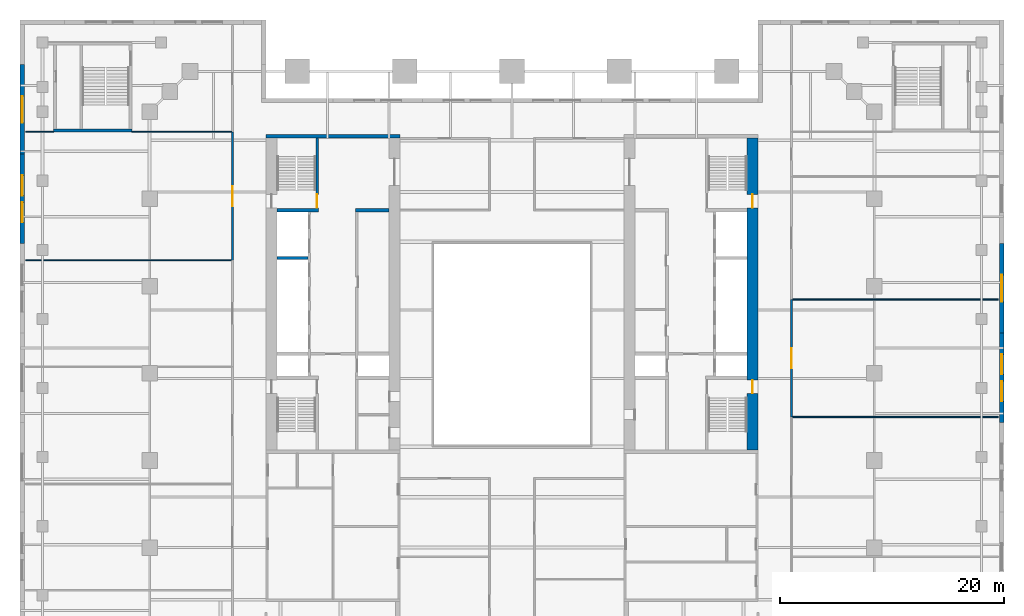
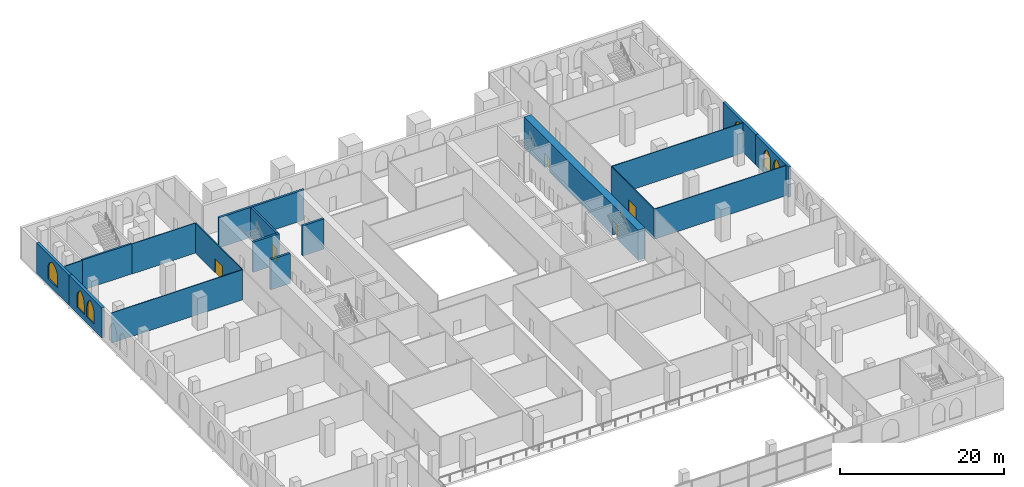
# One storey, part 14 of 19: 18 walls, 6 windows, 5 doors, 11 openings.
"""IFC4 building model written with IfcOpenShell, lengths in metres."""

from ifc_helpers import new_model, si_unit, direction, frame, frame_2d, origin, place, context, subcontext, project, spatial, polyline, rectangle, outline, extrude, material, layer, layer_set, type_object, element, fill, save


model = new_model("IFC4")

# Units and contexts
model_context = context("Model", 3, precision=1e-05, world=origin(), true_north=direction((0.0, 1.0)))
body_context = subcontext(model_context, "Body", "Model", "MODEL_VIEW")
ifc_project = project(units=[si_unit("LENGTHUNIT", "METRE"), si_unit("AREAUNIT", "SQUARE_METRE"), si_unit("VOLUMEUNIT", "CUBIC_METRE"), si_unit("PLANEANGLEUNIT", "RADIAN"), si_unit("MASSUNIT", "GRAM", prefix="KILO")], contexts=[model_context])

# Site, building, storey
site_placement = place(None, origin())
site = spatial("IfcSite", under=ifc_project, at=site_placement, CompositionType="ELEMENT")
building_placement = place(site_placement, origin())
building = spatial("IfcBuilding", under=site, at=building_placement, Name="Ogive Exchange Tower", CompositionType="ELEMENT")
storey_placement = place(building_placement, frame((0.0, 0.0, 24.0)))
storey = spatial("IfcBuildingStorey", under=building, at=storey_placement, Name="L04", CompositionType="ELEMENT", Elevation=24.0)

# Wall
ifc_material_1 = material(Name="Gypsum board partition")
ifc_layer_1 = layer(ifc_material_1, 0.300048828125)
ifc_layer_set_1 = layer_set([ifc_layer_1], Name="Core room partition 300 gypsum")
wall_type_1 = type_object("IfcWallType", Name="Core room partition 300 gypsum", PredefinedType="PARTITIONING", material=ifc_layer_set_1)
wall_1_placement = place(storey_placement, frame((-14.0, 19.0, 0.0), z_axis=(0.0, 0.0, 1.0), x_axis=(1.0, 0.0, 0.0)))
element("IfcWall", 1, at=wall_1_placement, inside=storey, type_object=wall_type_1, Name="W row B room end wall 7", PredefinedType="PARTITIONING", context=body_context, shape_type="SweptSolid", body=[
    extrude(rectangle(XDim=3.0, YDim=0.300048828125, at=frame_2d((1.5, 0.0))), origin(), (0.0, 0.0, 1.0), 4.5),
])

# Wall, opening, door
ifc_material_2 = material(Name="Fire partition EI 60 150")
ifc_layer_2 = layer(ifc_material_2, 0.14990234375)
ifc_layer_set_2 = layer_set([ifc_layer_2], Name="Fire partition EI 60 150")
wall_type_2 = type_object("IfcWallType", Name="Fire partition EI 60 150", PredefinedType="PARTITIONING", material=ifc_layer_set_2)
wall_2_placement = place(storey_placement, frame((-25.0, 14.5, 0.0), z_axis=(0.0, 0.0, 1.0), x_axis=(0.0, 1.0, 0.0)))
wall_2 = element("IfcWall", 2, at=wall_2_placement, inside=storey, type_object=wall_type_2, Name="L04-PWL-048", PredefinedType="PARTITIONING", context=body_context, shape_type="SweptSolid", body=[
    extrude(rectangle(XDim=11.5, YDim=0.14990234375, at=frame_2d((5.75, 0.0))), origin(), (0.0, 0.0, 1.0), 4.5),
])
opening_1_placement = place(wall_2_placement, frame((4.85009765625, 0.0, 0.0)))
opening_1 = element("IfcOpeningElement", 3, at=opening_1_placement, cuts=wall_2, Name="Opening L04-I07", PredefinedType="OPENING", context=body_context, shape_type="SweptSolid", body=[
    extrude(rectangle(XDim=1.800048828125, YDim=2.10009765625, at=frame_2d((0.89990234375, 1.050048828125))), frame((0.0, 0.0849609375, 0.0), z_axis=(0.0, -1.0, 0.0), x_axis=(1.0, 0.0, 0.0)), (0.0, 0.0, 1.0), 0.169921875),
])
ifc_material_3 = material(Name="Fire door FD 30S 1800 x 2100")
door_type_1 = type_object("IfcDoorType", Name="Fire door FD 30S 1800 x 2100", OperationType="DOUBLE_DOOR_SINGLE_SWING", PredefinedType="DOOR", material=ifc_material_3)
door_1_placement = place(opening_1_placement, origin())
door_1 = element("IfcDoor", 4, at=door_1_placement, inside=storey, type_object=door_type_1, Name="L04-IDR-007", ObjectType="DT4", OperationType="SINGLE_SWING_RIGHT", OverallHeight=2.10009765625, OverallWidth=1.800048828125, PredefinedType="DOOR", context=body_context, shape_type="SweptSolid", body=[
    extrude(rectangle(XDim=1.800048828125, YDim=2.10009765625, at=frame_2d((0.89990234375, 1.050048828125))), frame((0.0, 0.02490234375, 0.0), z_axis=(0.0, -1.0, 0.0), x_axis=(1.0, 0.0, 0.0)), (0.0, 0.0, 1.0), 0.050048828125),
])
fill(opening_1, door_1)

wall_3_placement = place(storey_placement, frame((25.0, 0.5, 0.0), z_axis=(0.0, 0.0, 1.0), x_axis=(0.0, 1.0, 0.0)))
wall_3 = element("IfcWall", 5, at=wall_3_placement, inside=storey, type_object=wall_type_2, Name="L04-PWL-062", PredefinedType="PARTITIONING", context=body_context, shape_type="SweptSolid", body=[
    extrude(rectangle(XDim=10.5, YDim=0.14990234375, at=frame_2d((5.25, 0.0))), origin(), (0.0, 0.0, 1.0), 4.5),
])
opening_2_placement = place(wall_3_placement, frame((4.35009765625, 0.0, 0.0)))
opening_2 = element("IfcOpeningElement", 6, at=opening_2_placement, cuts=wall_3, Name="Opening L04-I11", PredefinedType="OPENING", context=body_context, shape_type="SweptSolid", body=[
    extrude(rectangle(XDim=1.800048828125, YDim=2.10009765625, at=frame_2d((0.89990234375, 1.050048828125))), frame((0.0, 0.0849609375, 0.0), z_axis=(0.0, -1.0, 0.0), x_axis=(1.0, 0.0, 0.0)), (0.0, 0.0, 1.0), 0.169921875),
])
door_2_placement = place(opening_2_placement, frame((1.800048828125, 0.0, 0.0), z_axis=(0.0, 0.0, 1.0), x_axis=(-1.0, 0.0, 0.0)))
door_2 = element("IfcDoor", 7, at=door_2_placement, inside=storey, type_object=door_type_1, Name="L04-IDR-011", ObjectType="DT4", OperationType="SINGLE_SWING_LEFT", OverallHeight=2.10009765625, OverallWidth=1.800048828125, PredefinedType="DOOR", context=body_context, shape_type="SweptSolid", body=[
    extrude(rectangle(XDim=1.800048828125, YDim=2.10009765625, at=frame_2d((0.89990234375, 1.050048828125))), frame((0.0, 0.02490234375, 0.0), z_axis=(0.0, -1.0, 0.0), x_axis=(1.0, 0.0, 0.0)), (0.0, 0.0, 1.0), 0.050048828125),
])
fill(opening_2, door_2)

# Wall, openings, windows
ifc_material_4 = material(Name="Precast concrete C40/50", Category="concrete")
ifc_layer_3 = layer(ifc_material_4, 0.39990234375)
ifc_layer_set_3 = layer_set([ifc_layer_3], Name="Limestone-faced wall 400")
wall_type_3 = type_object("IfcWallType", Name="Limestone-faced wall 400", PredefinedType="STANDARD", material=ifc_layer_set_3)
wall_4_placement = place(storey_placement, frame((43.800048828125, 0.0, 0.0), z_axis=(0.0, 0.0, 1.0), x_axis=(0.0, 1.0, 0.0)))
wall_4 = element("IfcWall", 8, at=wall_4_placement, inside=storey, type_object=wall_type_3, Name="Podium wall E8", PredefinedType="STANDARD", context=body_context, shape_type="SweptSolid", body=[
    extrude(rectangle(XDim=8.0, YDim=0.39990234375, at=frame_2d((4.0, 0.0))), origin(), (0.0, 0.0, 1.0), 4.5),
])
opening_3_placement = place(wall_4_placement, frame((1.89990234375, 0.0, 0.89990234375)))
opening_3 = element("IfcOpeningElement", 9, at=opening_3_placement, cuts=wall_4, Name="Opening WQ300", PredefinedType="OPENING", context=body_context, shape_type="SweptSolid", body=[
    extrude(outline(polyline([(0.0, 0.0), (1.800048828125, 0.0), (1.800048828125, 1.5), (1.78466796875, 1.72900390625), (1.73828125, 1.953857421875), (1.662353515625, 2.17041015625), (1.557861328125, 2.374755859375), (1.4267578125, 2.56298828125), (1.271484375, 2.73193359375), (1.0947265625, 2.878662109375), (0.89990234375, 3.0), (0.705322265625, 2.878662109375), (0.528564453125, 2.73193359375), (0.373291015625, 2.56298828125), (0.2421875, 2.374755859375), (0.1376953125, 2.17041015625), (0.061767578125, 1.953857421875), (0.015380859375, 1.72900390625), (0.0, 1.5), (0.0, 0.0)])), frame((0.0, 0.2099609375, 0.0), z_axis=(0.0, -1.0, 0.0), x_axis=(1.0, 0.0, 0.0)), (0.0, 0.0, 1.0), 0.419921875),
])
opening_4_placement = place(wall_4_placement, frame((4.300048828125, 0.0, 0.89990234375)))
opening_4 = element("IfcOpeningElement", 10, at=opening_4_placement, cuts=wall_4, Name="Opening WQ300", PredefinedType="OPENING", context=body_context, shape_type="SweptSolid", body=[
    extrude(outline(polyline([(0.0, 0.0), (1.800048828125, 0.0), (1.800048828125, 1.5), (1.78466796875, 1.72900390625), (1.73828125, 1.953857421875), (1.662353515625, 2.17041015625), (1.557861328125, 2.374755859375), (1.4267578125, 2.56298828125), (1.271484375, 2.73193359375), (1.0947265625, 2.878662109375), (0.89990234375, 3.0), (0.705322265625, 2.878662109375), (0.528564453125, 2.73193359375), (0.373291015625, 2.56298828125), (0.2421875, 2.374755859375), (0.1376953125, 2.17041015625), (0.061767578125, 1.953857421875), (0.015380859375, 1.72900390625), (0.0, 1.5), (0.0, 0.0)])), frame((0.0, 0.2099609375, 0.0), z_axis=(0.0, -1.0, 0.0), x_axis=(1.0, 0.0, 0.0)), (0.0, 0.0, 1.0), 0.419921875),
])
ifc_material_5 = material(Name="Clear glass in bronze frame", Category="glass")
window_type_1 = type_object("IfcWindowType", Name="Podium paired lancet 1800 x 3000", PartitioningType="DOUBLE_PANEL_VERTICAL", PredefinedType="WINDOW", material=ifc_material_5)
window_1_placement = place(opening_3_placement, origin())
window_1 = element("IfcWindow", 11, at=window_1_placement, inside=storey, type_object=window_type_1, Name="Podium paired lancet E8.1", OverallHeight=3.0, OverallWidth=1.800048828125, PartitioningType="DOUBLE_PANEL_VERTICAL", PredefinedType="WINDOW", context=body_context, shape_type="SweptSolid", body=[
    extrude(outline(polyline([(0.0, 0.0), (1.800048828125, 0.0), (1.800048828125, 1.5), (1.78466796875, 1.72900390625), (1.73828125, 1.953857421875), (1.662353515625, 2.17041015625), (1.557861328125, 2.374755859375), (1.4267578125, 2.56298828125), (1.271484375, 2.73193359375), (1.0947265625, 2.878662109375), (0.89990234375, 3.0), (0.705322265625, 2.878662109375), (0.528564453125, 2.73193359375), (0.373291015625, 2.56298828125), (0.2421875, 2.374755859375), (0.1376953125, 2.17041015625), (0.061767578125, 1.953857421875), (0.015380859375, 1.72900390625), (0.0, 1.5), (0.0, 0.0)])), frame((0.0, 0.030029296875, 0.0), z_axis=(0.0, -1.0, 0.0), x_axis=(1.0, 0.0, 0.0)), (0.0, 0.0, 1.0), 0.06005859375),
])
fill(opening_3, window_1)
window_2_placement = place(opening_4_placement, origin())
window_2 = element("IfcWindow", 12, at=window_2_placement, inside=storey, type_object=window_type_1, Name="Podium paired lancet E8.2", OverallHeight=3.0, OverallWidth=1.800048828125, PartitioningType="DOUBLE_PANEL_VERTICAL", PredefinedType="WINDOW", context=body_context, shape_type="SweptSolid", body=[
    extrude(outline(polyline([(0.0, 0.0), (1.800048828125, 0.0), (1.800048828125, 1.5), (1.78466796875, 1.72900390625), (1.73828125, 1.953857421875), (1.662353515625, 2.17041015625), (1.557861328125, 2.374755859375), (1.4267578125, 2.56298828125), (1.271484375, 2.73193359375), (1.0947265625, 2.878662109375), (0.89990234375, 3.0), (0.705322265625, 2.878662109375), (0.528564453125, 2.73193359375), (0.373291015625, 2.56298828125), (0.2421875, 2.374755859375), (0.1376953125, 2.17041015625), (0.061767578125, 1.953857421875), (0.015380859375, 1.72900390625), (0.0, 1.5), (0.0, 0.0)])), frame((0.0, 0.030029296875, 0.0), z_axis=(0.0, -1.0, 0.0), x_axis=(1.0, 0.0, 0.0)), (0.0, 0.0, 1.0), 0.06005859375),
])
fill(opening_4, window_2)

# Wall, opening, window
wall_5_placement = place(storey_placement, frame((43.800048828125, 8.0, 0.0), z_axis=(0.0, 0.0, 1.0), x_axis=(0.0, 1.0, 0.0)))
wall_5 = element("IfcWall", 13, at=wall_5_placement, inside=storey, type_object=wall_type_3, Name="Podium wall E9", PredefinedType="STANDARD", context=body_context, shape_type="SweptSolid", body=[
    extrude(rectangle(XDim=8.0, YDim=0.39990234375, at=frame_2d((4.0, 0.0))), origin(), (0.0, 0.0, 1.0), 4.5),
])
opening_5_placement = place(wall_5_placement, frame((2.800048828125, 0.0, 0.89990234375)))
opening_5 = element("IfcOpeningElement", 14, at=opening_5_placement, cuts=wall_5, Name="Opening WP300", PredefinedType="OPENING", context=body_context, shape_type="SweptSolid", body=[
    extrude(outline(polyline([(0.0, 0.0), (2.39990234375, 0.0), (2.39990234375, 1.5), (2.378173828125, 1.758056640625), (2.313232421875, 2.009033203125), (2.207275390625, 2.245361328125), (2.06298828125, 2.46044921875), (1.884765625, 2.6484375), (1.677490234375, 2.8037109375), (1.447021484375, 2.922119140625), (1.199951171875, 3.0), (0.952880859375, 2.922119140625), (0.722412109375, 2.8037109375), (0.51513671875, 2.6484375), (0.3369140625, 2.46044921875), (0.192626953125, 2.245361328125), (0.086669921875, 2.009033203125), (0.021728515625, 1.758056640625), (0.0, 1.5), (0.0, 0.0)])), frame((0.0, 0.2099609375, 0.0), z_axis=(0.0, -1.0, 0.0), x_axis=(1.0, 0.0, 0.0)), (0.0, 0.0, 1.0), 0.419921875),
])
window_type_2 = type_object("IfcWindowType", Name="Podium lancet window 2400 x 3000", PartitioningType="DOUBLE_PANEL_VERTICAL", PredefinedType="WINDOW", material=ifc_material_5)
window_3_placement = place(opening_5_placement, origin())
window_3 = element("IfcWindow", 15, at=window_3_placement, inside=storey, type_object=window_type_2, Name="Podium window E9", OverallHeight=3.0, OverallWidth=2.39990234375, PartitioningType="DOUBLE_PANEL_VERTICAL", PredefinedType="WINDOW", context=body_context, shape_type="SweptSolid", body=[
    extrude(outline(polyline([(0.0, 0.0), (2.39990234375, 0.0), (2.39990234375, 1.5), (2.378173828125, 1.758056640625), (2.313232421875, 2.009033203125), (2.207275390625, 2.245361328125), (2.06298828125, 2.46044921875), (1.884765625, 2.6484375), (1.677490234375, 2.8037109375), (1.447021484375, 2.922119140625), (1.199951171875, 3.0), (0.952880859375, 2.922119140625), (0.722412109375, 2.8037109375), (0.51513671875, 2.6484375), (0.3369140625, 2.46044921875), (0.192626953125, 2.245361328125), (0.086669921875, 2.009033203125), (0.021728515625, 1.758056640625), (0.0, 1.5), (0.0, 0.0)])), frame((0.0, 0.030029296875, 0.0), z_axis=(0.0, -1.0, 0.0), x_axis=(1.0, 0.0, 0.0)), (0.0, 0.0, 1.0), 0.06005859375),
])
fill(opening_5, window_3)

wall_6_placement = place(storey_placement, frame((-43.800048828125, 32.0, 0.0), z_axis=(0.0, 0.0, 1.0), x_axis=(0.0, -1.0, 0.0)))
wall_6 = element("IfcWall", 16, at=wall_6_placement, inside=storey, type_object=wall_type_3, Name="Podium wall W2", PredefinedType="STANDARD", context=body_context, shape_type="SweptSolid", body=[
    extrude(rectangle(XDim=8.0, YDim=0.39990234375, at=frame_2d((4.0, 0.0))), origin(), (0.0, 0.0, 1.0), 4.5),
])
opening_6_placement = place(wall_6_placement, frame((2.800048828125, 0.0, 0.89990234375)))
opening_6 = element("IfcOpeningElement", 17, at=opening_6_placement, cuts=wall_6, Name="Opening WP300", PredefinedType="OPENING", context=body_context, shape_type="SweptSolid", body=[
    extrude(outline(polyline([(0.0, 0.0), (2.39990234375, 0.0), (2.39990234375, 1.5), (2.378173828125, 1.758056640625), (2.313232421875, 2.009033203125), (2.207275390625, 2.245361328125), (2.06298828125, 2.46044921875), (1.884765625, 2.6484375), (1.677490234375, 2.8037109375), (1.447021484375, 2.922119140625), (1.199951171875, 3.0), (0.952880859375, 2.922119140625), (0.722412109375, 2.8037109375), (0.51513671875, 2.6484375), (0.3369140625, 2.46044921875), (0.192626953125, 2.245361328125), (0.086669921875, 2.009033203125), (0.021728515625, 1.758056640625), (0.0, 1.5), (0.0, 0.0)])), frame((0.0, 0.2099609375, 0.0), z_axis=(0.0, -1.0, 0.0), x_axis=(1.0, 0.0, 0.0)), (0.0, 0.0, 1.0), 0.419921875),
])
window_4_placement = place(opening_6_placement, origin())
window_4 = element("IfcWindow", 18, at=window_4_placement, inside=storey, type_object=window_type_2, Name="Podium window W2", OverallHeight=3.0, OverallWidth=2.39990234375, PartitioningType="DOUBLE_PANEL_VERTICAL", PredefinedType="WINDOW", context=body_context, shape_type="SweptSolid", body=[
    extrude(outline(polyline([(0.0, 0.0), (2.39990234375, 0.0), (2.39990234375, 1.5), (2.378173828125, 1.758056640625), (2.313232421875, 2.009033203125), (2.207275390625, 2.245361328125), (2.06298828125, 2.46044921875), (1.884765625, 2.6484375), (1.677490234375, 2.8037109375), (1.447021484375, 2.922119140625), (1.199951171875, 3.0), (0.952880859375, 2.922119140625), (0.722412109375, 2.8037109375), (0.51513671875, 2.6484375), (0.3369140625, 2.46044921875), (0.192626953125, 2.245361328125), (0.086669921875, 2.009033203125), (0.021728515625, 1.758056640625), (0.0, 1.5), (0.0, 0.0)])), frame((0.0, 0.030029296875, 0.0), z_axis=(0.0, -1.0, 0.0), x_axis=(1.0, 0.0, 0.0)), (0.0, 0.0, 1.0), 0.06005859375),
])
fill(opening_6, window_4)

# Wall, openings, windows
wall_7_placement = place(storey_placement, frame((-43.800048828125, 24.0, 0.0), z_axis=(0.0, 0.0, 1.0), x_axis=(0.0, -1.0, 0.0)))
wall_7 = element("IfcWall", 19, at=wall_7_placement, inside=storey, type_object=wall_type_3, Name="Podium wall W3", PredefinedType="STANDARD", context=body_context, shape_type="SweptSolid", body=[
    extrude(rectangle(XDim=8.0, YDim=0.39990234375, at=frame_2d((4.0, 0.0))), origin(), (0.0, 0.0, 1.0), 4.5),
])
opening_7_placement = place(wall_7_placement, frame((1.89990234375, 0.0, 0.89990234375)))
opening_7 = element("IfcOpeningElement", 20, at=opening_7_placement, cuts=wall_7, Name="Opening WQ300", PredefinedType="OPENING", context=body_context, shape_type="SweptSolid", body=[
    extrude(outline(polyline([(0.0, 0.0), (1.800048828125, 0.0), (1.800048828125, 1.5), (1.78466796875, 1.72900390625), (1.73828125, 1.953857421875), (1.662353515625, 2.17041015625), (1.557861328125, 2.374755859375), (1.4267578125, 2.56298828125), (1.271484375, 2.73193359375), (1.0947265625, 2.878662109375), (0.89990234375, 3.0), (0.705322265625, 2.878662109375), (0.528564453125, 2.73193359375), (0.373291015625, 2.56298828125), (0.2421875, 2.374755859375), (0.1376953125, 2.17041015625), (0.061767578125, 1.953857421875), (0.015380859375, 1.72900390625), (0.0, 1.5), (0.0, 0.0)])), frame((0.0, 0.2099609375, 0.0), z_axis=(0.0, -1.0, 0.0), x_axis=(1.0, 0.0, 0.0)), (0.0, 0.0, 1.0), 0.419921875),
])
opening_8_placement = place(wall_7_placement, frame((4.300048828125, 0.0, 0.89990234375)))
opening_8 = element("IfcOpeningElement", 21, at=opening_8_placement, cuts=wall_7, Name="Opening WQ300", PredefinedType="OPENING", context=body_context, shape_type="SweptSolid", body=[
    extrude(outline(polyline([(0.0, 0.0), (1.800048828125, 0.0), (1.800048828125, 1.5), (1.78466796875, 1.72900390625), (1.73828125, 1.953857421875), (1.662353515625, 2.17041015625), (1.557861328125, 2.374755859375), (1.4267578125, 2.56298828125), (1.271484375, 2.73193359375), (1.0947265625, 2.878662109375), (0.89990234375, 3.0), (0.705322265625, 2.878662109375), (0.528564453125, 2.73193359375), (0.373291015625, 2.56298828125), (0.2421875, 2.374755859375), (0.1376953125, 2.17041015625), (0.061767578125, 1.953857421875), (0.015380859375, 1.72900390625), (0.0, 1.5), (0.0, 0.0)])), frame((0.0, 0.2099609375, 0.0), z_axis=(0.0, -1.0, 0.0), x_axis=(1.0, 0.0, 0.0)), (0.0, 0.0, 1.0), 0.419921875),
])
window_5_placement = place(opening_7_placement, origin())
window_5 = element("IfcWindow", 22, at=window_5_placement, inside=storey, type_object=window_type_1, Name="Podium paired lancet W3.1", OverallHeight=3.0, OverallWidth=1.800048828125, PartitioningType="DOUBLE_PANEL_VERTICAL", PredefinedType="WINDOW", context=body_context, shape_type="SweptSolid", body=[
    extrude(outline(polyline([(0.0, 0.0), (1.800048828125, 0.0), (1.800048828125, 1.5), (1.78466796875, 1.72900390625), (1.73828125, 1.953857421875), (1.662353515625, 2.17041015625), (1.557861328125, 2.374755859375), (1.4267578125, 2.56298828125), (1.271484375, 2.73193359375), (1.0947265625, 2.878662109375), (0.89990234375, 3.0), (0.705322265625, 2.878662109375), (0.528564453125, 2.73193359375), (0.373291015625, 2.56298828125), (0.2421875, 2.374755859375), (0.1376953125, 2.17041015625), (0.061767578125, 1.953857421875), (0.015380859375, 1.72900390625), (0.0, 1.5), (0.0, 0.0)])), frame((0.0, 0.030029296875, 0.0), z_axis=(0.0, -1.0, 0.0), x_axis=(1.0, 0.0, 0.0)), (0.0, 0.0, 1.0), 0.06005859375),
])
fill(opening_7, window_5)
window_6_placement = place(opening_8_placement, origin())
window_6 = element("IfcWindow", 23, at=window_6_placement, inside=storey, type_object=window_type_1, Name="Podium paired lancet W3.2", OverallHeight=3.0, OverallWidth=1.800048828125, PartitioningType="DOUBLE_PANEL_VERTICAL", PredefinedType="WINDOW", context=body_context, shape_type="SweptSolid", body=[
    extrude(outline(polyline([(0.0, 0.0), (1.800048828125, 0.0), (1.800048828125, 1.5), (1.78466796875, 1.72900390625), (1.73828125, 1.953857421875), (1.662353515625, 2.17041015625), (1.557861328125, 2.374755859375), (1.4267578125, 2.56298828125), (1.271484375, 2.73193359375), (1.0947265625, 2.878662109375), (0.89990234375, 3.0), (0.705322265625, 2.878662109375), (0.528564453125, 2.73193359375), (0.373291015625, 2.56298828125), (0.2421875, 2.374755859375), (0.1376953125, 2.17041015625), (0.061767578125, 1.953857421875), (0.015380859375, 1.72900390625), (0.0, 1.5), (0.0, 0.0)])), frame((0.0, 0.030029296875, 0.0), z_axis=(0.0, -1.0, 0.0), x_axis=(1.0, 0.0, 0.0)), (0.0, 0.0, 1.0), 0.06005859375),
])
fill(opening_8, window_6)

# Walls
ifc_material_6 = material(Name="Partition 100 gypsum")
ifc_layer_4 = layer(ifc_material_6, 0.10009765625)
ifc_layer_set_4 = layer_set([ifc_layer_4], Name="Partition 100 gypsum")
wall_type_4 = type_object("IfcWallType", Name="Partition 100 gypsum", PredefinedType="PARTITIONING", material=ifc_layer_set_4)
for number, where, z_axis, x_axis, name in (
    (24, (25.074951171875, 0.5, 0.0), (0.0, 0.0, 1.0), (1.0, 0.0, 0.0), "L04-PWL-025"),
    (25, (25.074951171875, 11.0, 0.0), (0.0, 0.0, 1.0), (1.0, 0.0, 0.0), "L04-PWL-028"),
    (26, (-43.5, 14.5, 0.0), (0.0, 0.0, 1.0), (1.0, 0.0, 0.0), "L04-PWL-029"),
):
    element("IfcWall", number, at=place(storey_placement, frame(where, z_axis=z_axis, x_axis=x_axis)), inside=storey, type_object=wall_type_4, Name=name, PredefinedType="PARTITIONING", context=body_context, shape_type="SweptSolid", body=[
        extrude(rectangle(XDim=18.425048828125, YDim=0.10009765625, at=frame_2d((9.21240234375, 0.0))), origin(), (0.0, 0.0, 1.0), 4.5),
    ])
wall_8_placement = place(storey_placement, frame((-43.5, 26.0, 0.0), z_axis=(0.0, 0.0, 1.0), x_axis=(1.0, 0.0, 0.0)))
element("IfcWall", 27, at=wall_8_placement, inside=storey, type_object=wall_type_4, Name="L04-PWL-036", PredefinedType="PARTITIONING", context=body_context, shape_type="SweptSolid", body=[
    extrude(rectangle(XDim=2.5, YDim=0.10009765625, at=frame_2d((1.25, 0.0))), origin(), (0.0, 0.0, 1.0), 4.5),
])
wall_9_placement = place(storey_placement, frame((-34.0, 26.0, 0.0), z_axis=(0.0, 0.0, 1.0), x_axis=(1.0, 0.0, 0.0)))
element("IfcWall", 28, at=wall_9_placement, inside=storey, type_object=wall_type_4, Name="L04-PWL-037", PredefinedType="PARTITIONING", context=body_context, shape_type="SweptSolid", body=[
    extrude(rectangle(XDim=8.925048828125, YDim=0.10009765625, at=frame_2d((4.46240234375, 0.0))), origin(), (0.0, 0.0, 1.0), 4.5),
])

# Wall, openings, doors
ifc_material_7 = material(Name="Concrete C70/85", Category="concrete")
ifc_layer_5 = layer(ifc_material_7, 1.0)
ifc_layer_set_5 = layer_set([ifc_layer_5], Name="RC core wall 1000 C70/85")
wall_type_5 = type_object("IfcWallType", Name="RC core wall 1000 C70/85", PredefinedType="SHEAR", material=ifc_layer_set_5)
wall_10_placement = place(storey_placement, frame((21.5, -2.449951171875, 0.0), z_axis=(0.0, 0.0, 1.0), x_axis=(0.0, 1.0, 0.0)))
wall_10 = element("IfcWall", 29, at=wall_10_placement, inside=storey, type_object=wall_type_5, Name="E outer wall", PredefinedType="SHEAR", context=body_context, shape_type="SweptSolid", body=[
    extrude(rectangle(XDim=27.89990234375, YDim=1.0, at=frame_2d((13.949951171875, 0.0))), origin(), (0.0, 0.0, 1.0), 4.5),
])
opening_9_placement = place(wall_10_placement, frame((5.050048828125, 0.0, 0.0)))
opening_9 = element("IfcOpeningElement", 30, at=opening_9_placement, cuts=wall_10, Name="Opening L04-C36", PredefinedType="OPENING", context=body_context, shape_type="SweptSolid", body=[
    extrude(rectangle(XDim=1.199951171875, YDim=2.10009765625, at=frame_2d((0.60009765625, 1.050048828125))), frame((0.0, 0.510009765625, 0.0), z_axis=(0.0, -1.0, 0.0), x_axis=(1.0, 0.0, 0.0)), (0.0, 0.0, 1.0), 1.02001953125),
])
opening_10_placement = place(wall_10_placement, frame((21.64990234375, 0.0, 0.0)))
opening_10 = element("IfcOpeningElement", 31, at=opening_10_placement, cuts=wall_10, Name="Opening L04-C38", PredefinedType="OPENING", context=body_context, shape_type="SweptSolid", body=[
    extrude(rectangle(XDim=1.199951171875, YDim=2.10009765625, at=frame_2d((0.60009765625, 1.050048828125))), frame((0.0, 0.510009765625, 0.0), z_axis=(0.0, -1.0, 0.0), x_axis=(1.0, 0.0, 0.0)), (0.0, 0.0, 1.0), 1.02001953125),
])
ifc_material_8 = material(Name="Steel fire door", Category="steel")
door_type_2 = type_object("IfcDoorType", Name="Stair door FD90 1200 x 2100", OperationType="NOTDEFINED", PredefinedType="DOOR", material=ifc_material_8)
door_3_placement = place(opening_9_placement, origin())
door_3 = element("IfcDoor", 32, at=door_3_placement, inside=storey, type_object=door_type_2, Name="Stair door", ObjectType="CD5", OperationType="SINGLE_SWING_LEFT", OverallHeight=2.10009765625, OverallWidth=1.199951171875, PredefinedType="DOOR", context=body_context, shape_type="SweptSolid", body=[
    extrude(rectangle(XDim=1.199951171875, YDim=2.10009765625, at=frame_2d((0.60009765625, 1.050048828125))), frame((0.0, 0.02490234375, 0.0), z_axis=(0.0, -1.0, 0.0), x_axis=(1.0, 0.0, 0.0)), (0.0, 0.0, 1.0), 0.050048828125),
])
fill(opening_9, door_3)
door_4_placement = place(opening_10_placement, origin())
door_4 = element("IfcDoor", 33, at=door_4_placement, inside=storey, type_object=door_type_2, Name="Stair door", ObjectType="CD5", OperationType="SINGLE_SWING_RIGHT", OverallHeight=2.10009765625, OverallWidth=1.199951171875, PredefinedType="DOOR", context=body_context, shape_type="SweptSolid", body=[
    extrude(rectangle(XDim=1.199951171875, YDim=2.10009765625, at=frame_2d((0.60009765625, 1.050048828125))), frame((0.0, 0.02490234375, 0.0), z_axis=(0.0, -1.0, 0.0), x_axis=(1.0, 0.0, 0.0)), (0.0, 0.0, 1.0), 0.050048828125),
])
fill(opening_10, door_4)

# Wall, opening, door
ifc_layer_6 = layer(ifc_material_7, 0.25)
ifc_layer_set_6 = layer_set([ifc_layer_6], Name="RC core wall 250 C70/85")
wall_type_6 = type_object("IfcWallType", Name="RC core wall 250 C70/85", PredefinedType="SHEAR", material=ifc_layer_set_6)
wall_11_placement = place(storey_placement, frame((-17.425048828125, 19.14990234375, 0.0), z_axis=(0.0, 0.0, 1.0), x_axis=(0.0, 1.0, 0.0)))
wall_11 = element("IfcWall", 34, at=wall_11_placement, inside=storey, type_object=wall_type_6, Name="W stair N front wall", PredefinedType="SHEAR", context=body_context, shape_type="SweptSolid", body=[
    extrude(rectangle(XDim=6.300048828125, YDim=0.25, at=frame_2d((3.14990234375, 0.0))), origin(), (0.0, 0.0, 1.0), 4.5),
])
opening_11_placement = place(wall_11_placement, frame((0.050048828125, 0.0, 0.0)))
opening_11 = element("IfcOpeningElement", 35, at=opening_11_placement, cuts=wall_11, Name="Opening L04-C14", PredefinedType="OPENING", context=body_context, shape_type="SweptSolid", body=[
    extrude(rectangle(XDim=1.199951171875, YDim=2.10009765625, at=frame_2d((0.60009765625, 1.050048828125))), frame((0.0, 0.135009765625, 0.0), z_axis=(0.0, -1.0, 0.0), x_axis=(1.0, 0.0, 0.0)), (0.0, 0.0, 1.0), 0.27001953125),
])
door_5_placement = place(opening_11_placement, origin())
door_5 = element("IfcDoor", 36, at=door_5_placement, inside=storey, type_object=door_type_2, Name="Stair door", ObjectType="CD5", OperationType="SINGLE_SWING_RIGHT", OverallHeight=2.10009765625, OverallWidth=1.199951171875, PredefinedType="DOOR", context=body_context, shape_type="SweptSolid", body=[
    extrude(rectangle(XDim=1.199951171875, YDim=2.10009765625, at=frame_2d((0.60009765625, 1.050048828125))), frame((0.0, 0.02490234375, 0.0), z_axis=(0.0, -1.0, 0.0), x_axis=(1.0, 0.0, 0.0)), (0.0, 0.0, 1.0), 0.050048828125),
])
fill(opening_11, door_5)

# Walls
wall_12_placement = place(storey_placement, frame((-41.0, 26.125, 0.0), z_axis=(0.0, 0.0, 1.0), x_axis=(1.0, 0.0, 0.0)))
element("IfcWall", 37, at=wall_12_placement, inside=storey, type_object=wall_type_6, Name="PS3 south wall", PredefinedType="SHEAR", context=body_context, shape_type="SweptSolid", body=[
    extrude(rectangle(XDim=7.0, YDim=0.25, at=frame_2d((3.5, 0.0))), origin(), (0.0, 0.0, 1.0), 4.5),
])
ifc_layer_7 = layer(ifc_material_7, 0.300048828125)
ifc_layer_set_7 = layer_set([ifc_layer_7], Name="RC core wall 300 C70/85")
wall_type_7 = type_object("IfcWallType", Name="RC core wall 300 C70/85", PredefinedType="SHEAR", material=ifc_layer_set_7)
wall_13_placement = place(storey_placement, frame((-22.0, 25.60009765625, 0.0), z_axis=(0.0, 0.0, 1.0), x_axis=(1.0, 0.0, 0.0)))
element("IfcWall", 38, at=wall_13_placement, inside=storey, type_object=wall_type_7, Name="W north end wall", PredefinedType="SHEAR", context=body_context, shape_type="SweptSolid", body=[
    extrude(rectangle(XDim=12.0, YDim=0.300048828125, at=frame_2d((6.0, 0.0))), origin(), (0.0, 0.0, 1.0), 4.5),
])
wall_14_placement = place(storey_placement, frame((-21.0, 19.0, 0.0), z_axis=(0.0, 0.0, 1.0), x_axis=(1.0, 0.0, 0.0)))
element("IfcWall", 39, at=wall_14_placement, inside=storey, type_object=wall_type_7, Name="W stair N south wall", PredefinedType="SHEAR", context=body_context, shape_type="SweptSolid", body=[
    extrude(rectangle(XDim=3.699951171875, YDim=0.300048828125, at=frame_2d((1.85009765625, 0.0))), origin(), (0.0, 0.0, 1.0), 4.5),
])
wall_15_placement = place(storey_placement, frame((-21.0, 14.71435546875, 0.0), z_axis=(0.0, 0.0, 1.0), x_axis=(1.0, 0.0, 0.0)))
element("IfcWall", 40, at=wall_15_placement, inside=storey, type_object=wall_type_7, Name="W row A divider 5", PredefinedType="SHEAR", context=body_context, shape_type="SweptSolid", body=[
    extrude(rectangle(XDim=2.75, YDim=0.300048828125, at=frame_2d((1.375, 0.0))), origin(), (0.0, 0.0, 1.0), 4.5),
])

save(model, "model.ifc")
